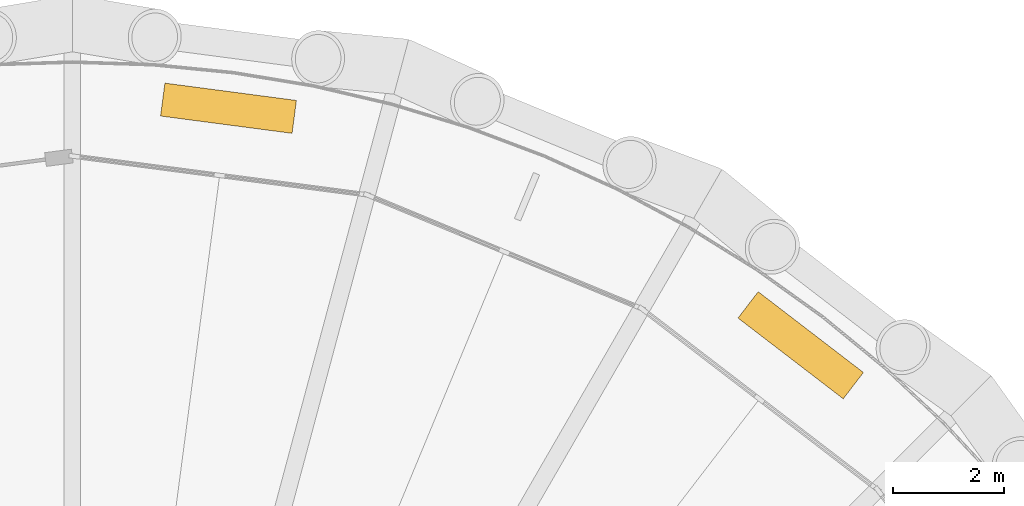
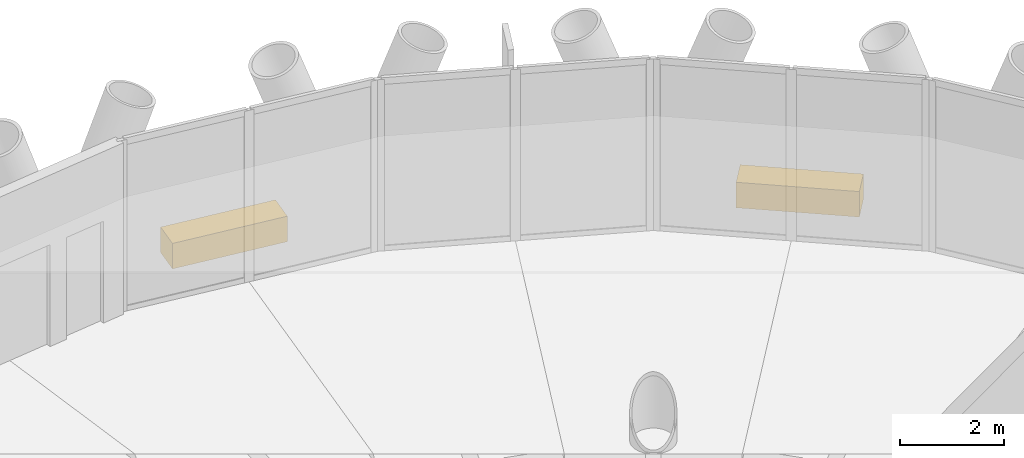
# One storey, part 14 of 14: 2 coverings.
"""IFC4 building model written with IfcOpenShell, lengths in metres."""

import ifcopenshell
import ifcopenshell.guid

model = None  # the IFC model being written
_history = None  # IfcOwnerHistory: only IFC2X3 demands one
_inside = {}  # id of a spatial element -> (the spatial element, [elements in it])
_under = {}  # id of a project, library or spatial element -> (it, [spatial elements below it])
_declared = {}  # id of a project -> (the project, [libraries it declares])
_typed = {}  # id of a type object -> (the type object, [elements of that type])
_made_of = {}  # id of a material, layer set ... -> (it, [elements and type objects made of it])


def new_model(schema):
    """Start an empty IFC model of exactly this schema.

    Asked for "IFC4X3", IfcOpenShell would pick the latest addendum, in which some entities
    have other attributes; the version numbers below select the first issue.
    IFC2X3 requires an IfcOwnerHistory on every rooted entity: one is made here for all.
    """
    global model, _history
    if schema == "IFC4X3":
        model = ifcopenshell.file(schema_version=(4, 3, 0, 0))
    else:
        model = ifcopenshell.file(schema=schema)
    _inside.clear()
    _under.clear()
    _declared.clear()
    _typed.clear()
    _made_of.clear()
    _history = None
    if model.schema == "IFC2X3":
        org = make("IfcOrganization", Name="unknown")
        user = make(
            "IfcPersonAndOrganization",
            ThePerson=make("IfcPerson", FamilyName="unknown"),
            TheOrganization=org,
        )
        app = make(
            "IfcApplication",
            ApplicationDeveloper=org,
            Version="unknown",
            ApplicationFullName="unknown",
            ApplicationIdentifier="unknown",
        )
        _history = make(
            "IfcOwnerHistory",
            OwningUser=user,
            OwningApplication=app,
            ChangeAction="ADDED",
            CreationDate=0,
        )
    return model


def make(cls, **values):
    """One entity of the class cls with the attributes given. An attribute that is None is left unset."""
    return model.create_entity(
        cls, **{name: value for name, value in values.items() if value is not None}
    )


def rooted(cls, **values):
    """An entity with a GlobalId (a new one), such as an element, a storey or a relation."""
    return make(cls, GlobalId=ifcopenshell.guid.new(), OwnerHistory=_history, **values)


def si_unit(unit_type, name, prefix=None):
    """IfcSIUnit, for example si_unit("LENGTHUNIT", "METRE", prefix="MILLI")."""
    return make("IfcSIUnit", UnitType=unit_type, Prefix=prefix, Name=name)


def assignment(units):
    """IfcUnitAssignment: the units of a project."""
    return None if units is None else make("IfcUnitAssignment", Units=units)


def point(xyz):
    """IfcCartesianPoint."""
    return None if xyz is None else make("IfcCartesianPoint", Coordinates=xyz)


def direction(xyz):
    """IfcDirection."""
    return None if xyz is None else make("IfcDirection", DirectionRatios=xyz)


def frame(location, z_axis=None, x_axis=None):
    """IfcAxis2Placement3D, a coordinate frame: its origin and axes. An axis left out is left unset."""
    return make(
        "IfcAxis2Placement3D",
        Location=point(location),
        Axis=direction(z_axis),
        RefDirection=direction(x_axis),
    )


def frame_2d(location, x_axis=None):
    """IfcAxis2Placement2D, a coordinate frame in the plane: its origin and x axis."""
    return make(
        "IfcAxis2Placement2D", Location=point(location), RefDirection=direction(x_axis)
    )


def origin():
    """The frame at (0, 0, 0) with its axes left unset."""
    return frame((0.0, 0.0, 0.0))


def origin_2d():
    """The frame at (0, 0) in the plane with its x axis left unset."""
    return frame_2d((0.0, 0.0))


def place(relative_to, where):
    """IfcLocalPlacement: puts the frame where relative to a parent placement (None: the world)."""
    return make(
        "IfcLocalPlacement", PlacementRelTo=relative_to, RelativePlacement=where
    )


def context(
    kind, dimensions, precision=None, world=None, true_north=None, identifier=None
):
    """IfcGeometricRepresentationContext, for example the 3D "Model" context."""
    return make(
        "IfcGeometricRepresentationContext",
        ContextIdentifier=identifier,
        ContextType=kind,
        CoordinateSpaceDimension=dimensions,
        Precision=precision,
        WorldCoordinateSystem=world,
        TrueNorth=true_north,
    )


def subcontext(parent, identifier, kind, view, scale=None):
    """IfcGeometricRepresentationSubContext, for example "Body" below "Model"."""
    return make(
        "IfcGeometricRepresentationSubContext",
        ContextIdentifier=identifier,
        ContextType=kind,
        ParentContext=parent,
        TargetScale=scale,
        TargetView=view,
    )


def project(units=None, contexts=None):
    """IfcProject with its units and contexts."""
    return rooted(
        "IfcProject",
        Name="project",
        RepresentationContexts=contexts,
        UnitsInContext=assignment(units),
    )


def spatial(cls, under=None, at=None, **own):
    """A site, building, storey or space (cls), placed at a placement, below another one or the project."""
    s = rooted(cls, ObjectPlacement=at, **own)
    if under is not None:
        _under.setdefault(under.id(), (under, []))[1].append(s)
    return s


def profile(cls, at=None, kind="AREA", **sizes):
    """A parametric profile (cls). Its sizes go by their IFC names, for example OverallWidth=200.0."""
    return make(cls, ProfileType=kind, Position=at, **sizes)


def rectangle(**sizes):
    """IfcRectangleProfileDef."""
    return profile("IfcRectangleProfileDef", **sizes)


def extrude(swept, where, along, depth):
    """IfcExtrudedAreaSolid: the profile swept, set in the frame where, extruded along a direction by depth."""
    return make(
        "IfcExtrudedAreaSolid",
        SweptArea=swept,
        Position=where,
        ExtrudedDirection=direction(along),
        Depth=depth,
    )


def shape(context_of_items, identifier, shape_type, items):
    """IfcShapeRepresentation: the items that make up one representation, for example the "Body"."""
    return make(
        "IfcShapeRepresentation",
        ContextOfItems=context_of_items,
        RepresentationIdentifier=identifier,
        RepresentationType=shape_type,
        Items=items,
    )


def material(Name=None, Category=None):
    """IfcMaterial."""
    return make("IfcMaterial", Name=Name, Category=Category)


def layer(
    of_material, thickness, ventilated=None, Name=None, Category=None, Priority=None
):
    """IfcMaterialLayer: one layer of a wall or slab, of a material (None: an air gap)."""
    return make(
        "IfcMaterialLayer",
        Material=of_material,
        LayerThickness=thickness,
        IsVentilated=ventilated,
        Name=Name,
        Category=Category,
        Priority=Priority,
    )


def layer_set(layers, Name=None):
    """IfcMaterialLayerSet."""
    return make("IfcMaterialLayerSet", MaterialLayers=layers, LayerSetName=Name)


def made_of(thing, what):
    """Note that an element or type object is made of a material, layer set ...; save() writes the relation."""
    if what is not None:
        _made_of.setdefault(what.id(), (what, []))[1].append(thing)
    return thing


def type_object(cls, material=None, **own):
    """A type object (cls), such as IfcWallType, which elements share."""
    return made_of(rooted(cls, **own), material)


def element(
    cls,
    number,
    at=None,
    inside=None,
    cuts=None,
    type_object=None,
    material=None,
    context=None,
    identifier="Body",
    shape_type=None,
    held_by="IfcProductDefinitionShape",
    body=None,
    shapes=None,
    **own,
):
    """One element of the class cls, such as IfcWall. Its Tag is "e" and its number.

    at: its placement. inside: the storey or other place that contains it. cuts: it is an
    opening in that element (IfcRelVoidsElement). A single representation is given by context,
    identifier, shape_type and body (its items); several are given by shapes. held_by: the class
    of the entity that holds the representations. save() writes the other relations.
    """
    e = rooted(cls, Tag="e%d" % number, ObjectPlacement=at, **own)
    if body is not None:
        shapes = [shape(context, identifier, shape_type, body)]
    if shapes is not None:
        e.Representation = make(held_by, Representations=shapes)
    if inside is not None:
        _inside.setdefault(inside.id(), (inside, []))[1].append(e)
    if cuts is not None:
        rooted(
            "IfcRelVoidsElement", RelatingBuildingElement=cuts, RelatedOpeningElement=e
        )
    if type_object is not None:
        _typed.setdefault(type_object.id(), (type_object, []))[1].append(e)
    return made_of(e, material)


def aggregate(whole, parts):
    """IfcRelAggregates: a whole, such as a stair, and the parts it consists of."""
    return rooted("IfcRelAggregates", RelatingObject=whole, RelatedObjects=parts)


def save(model, path):
    """Write the relations noted so far, then the file.

    IfcRelAggregates (storeys below a building ...), IfcRelContainedInSpatialStructure (elements
    in a storey), IfcRelDefinesByType, IfcRelAssociatesMaterial and IfcRelDeclares: one each for
    every whole, place, type object, material and project.
    """
    for whole, parts in _under.values():
        aggregate(whole, parts)
    for where, things in _inside.values():
        rooted(
            "IfcRelContainedInSpatialStructure",
            RelatedElements=things,
            RelatingStructure=where,
        )
    for kind, things in _typed.values():
        rooted("IfcRelDefinesByType", RelatedObjects=things, RelatingType=kind)
    for what, things in _made_of.values():
        rooted("IfcRelAssociatesMaterial", RelatedObjects=things, RelatingMaterial=what)
    for by, libraries in _declared.values():
        rooted("IfcRelDeclares", RelatingContext=by, RelatedDefinitions=libraries)
    model.write(path)


model = new_model("IFC4")

# Units and contexts
model_context = context("Model", 3, precision=1e-05, world=origin(), true_north=direction((0.0, 1.0)))
body_context = subcontext(model_context, "Body", "Model", "MODEL_VIEW")
ifc_project = project(units=[si_unit("LENGTHUNIT", "METRE"), si_unit("AREAUNIT", "SQUARE_METRE"), si_unit("VOLUMEUNIT", "CUBIC_METRE"), si_unit("PLANEANGLEUNIT", "RADIAN"), si_unit("MASSUNIT", "GRAM", prefix="KILO")], contexts=[model_context])

# Site, building, storey
site_placement = place(None, origin())
site = spatial("IfcSite", under=ifc_project, at=site_placement, CompositionType="ELEMENT")
building_placement = place(site_placement, origin())
building = spatial("IfcBuilding", under=site, at=building_placement, Name="Qaws Media Tower", CompositionType="ELEMENT")
storey_placement = place(building_placement, frame((0.0, 0.0, 210.800048828125)))
storey = spatial("IfcBuildingStorey", under=building, at=storey_placement, Name="L48", CompositionType="ELEMENT", Elevation=210.800048828125)

# Coverings
ifc_material = material(Name="Precast concrete planter with trailing planting", Category="concrete")
ifc_layer = layer(ifc_material, 0.60009765625)
ifc_layer_set = layer_set([ifc_layer], Name="Planter 2400x600")
covering_type = type_object("IfcCoveringType", Name="Planter 2400x600", PredefinedType="USERDEFINED", material=ifc_layer_set)
for number, where, z_axis, x_axis, name in (
    (1, (73.1796875, 67.176025390625, 0.0), (0.0, 0.0, 1.0), (-0.793353340291, 0.608761429009, 0.0), "PL1 balcony planter L48-02"),
    (2, (62.825927734375, 71.46484375, 0.0), (0.0, 0.0, 1.0), (-0.991444861374, 0.13052619222, 0.0), "PL1 balcony planter L48-03"),
):
    element("IfcCovering", number, at=place(storey_placement, frame(where, z_axis=z_axis, x_axis=x_axis)), inside=storey, type_object=covering_type, Name=name, ObjectType="PLANTER", PredefinedType="USERDEFINED", context=body_context, shape_type="SweptSolid", body=[
        extrude(rectangle(XDim=2.39990234375, YDim=0.60009765625, at=origin_2d()), origin(), (0.0, 0.0, 1.0), 0.60009765625),
    ])

save(model, "model.ifc")
